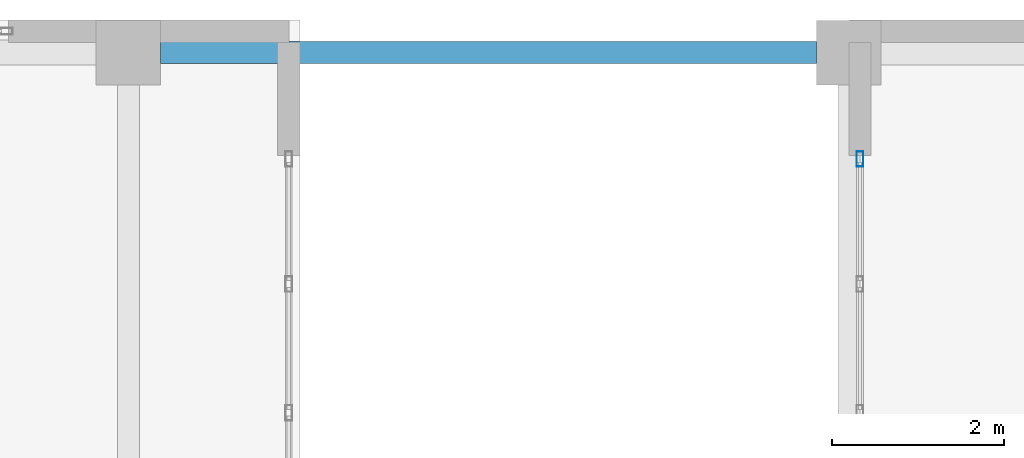
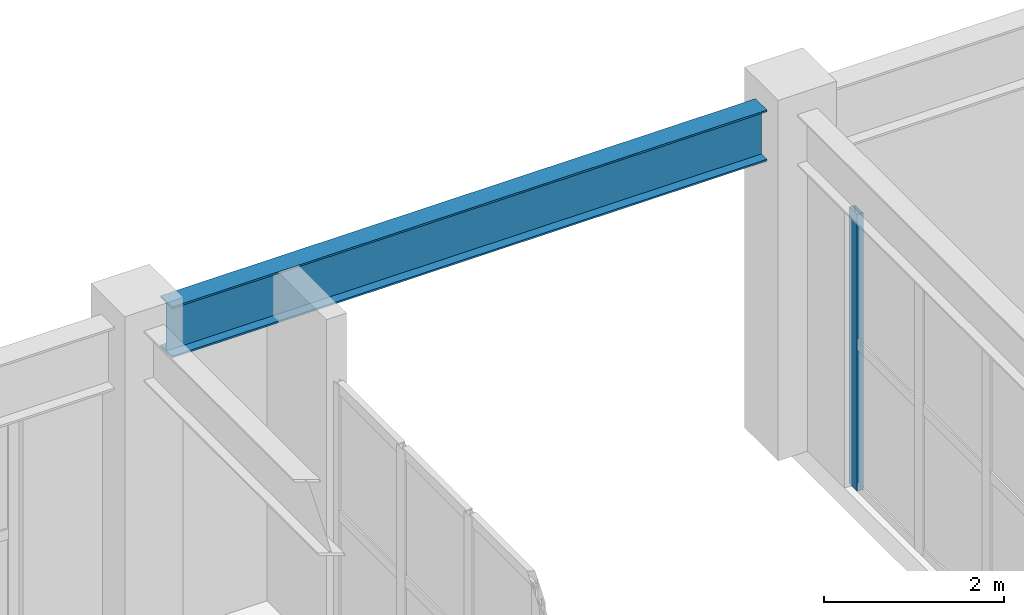
# One storey, part 8 of 11: 1 beam, 1 member, 1 element without a shape of its own.
"""IFC4 building model written with IfcOpenShell, lengths in metres."""

from ifc_helpers import new_model, si_unit, direction, frame, origin, origin_2d, place, context, subcontext, project, spatial, hollow_rectangle, i_section, extrude, material, layer, layer_set, material_profile, profile_set, type_object, element, aggregate, save


model = new_model("IFC4")

# Units and contexts
model_context = context("Model", 3, precision=1e-05, world=origin(), true_north=direction((0.0, 1.0)))
body_context = subcontext(model_context, "Body", "Model", "MODEL_VIEW")
ifc_project = project(units=[si_unit("LENGTHUNIT", "METRE"), si_unit("AREAUNIT", "SQUARE_METRE"), si_unit("VOLUMEUNIT", "CUBIC_METRE"), si_unit("PLANEANGLEUNIT", "RADIAN"), si_unit("MASSUNIT", "GRAM", prefix="KILO")], contexts=[model_context])

# Site, building, storey
site_placement = place(None, origin())
site = spatial("IfcSite", under=ifc_project, at=site_placement, CompositionType="ELEMENT")
building_placement = place(site_placement, origin())
building = spatial("IfcBuilding", under=site, at=building_placement, Name="Solanera Arch Residences", CompositionType="ELEMENT")
storey_placement = place(building_placement, frame((0.0, 0.0, 287.8798828125)))
storey = spatial("IfcBuildingStorey", under=building, at=storey_placement, Name="L82", CompositionType="ELEMENT", Elevation=287.8798828125)

# Curtain wall, member
ifc_material_1 = material(Name="Anodised Aluminium Alloy 6063-T6", Category="aluminium")
ifc_layer = layer(ifc_material_1, 0.179931640625)
ifc_layer_set = layer_set([ifc_layer], Name="Anodised Aluminium Alloy 6063-T6")
curtain_wall_type = type_object("IfcCurtainWallType", Name="CW-6 Split-Top Crown Lantern Curtain Wall", PredefinedType="USERDEFINED", material=ifc_layer_set)
curtain_wall_placement = place(storey_placement, origin())
curtain_wall = element("IfcCurtainWall", 1, at=curtain_wall_placement, inside=storey, type_object=curtain_wall_type, Name="L82 E Crown Cleft Lantern Curtain Wall", ObjectType="CURTAIN_WALL", PredefinedType="USERDEFINED")
ifc_material_2 = material(Name="Anodised Aluminium Alloy 6063-T6", Category="aluminium")
ifc_material_profile_1 = material_profile(ifc_material_2, hollow_rectangle(XDim=0.080078125, YDim=0.179931640625, WallThickness=0.00390625, at=origin_2d()))
ifc_profile_set_1 = profile_set([ifc_material_profile_1], Name="Anodised Aluminium Alloy 6063-T6")
member_type = type_object("IfcMemberType", Name="Curtain Wall Mullion ALU-MUL-80X180", PredefinedType="MULLION", material=ifc_profile_set_1)
member_placement = place(storey_placement, frame((29.330078125, 38.159912109375, 0.0), z_axis=(0.0, 0.0, 1.0), x_axis=(-1.0, 0.0, 0.0)))
member = element("IfcMember", 2, at=member_placement, type_object=member_type, Name="CW-6 mullion 5", PredefinedType="MULLION", context=body_context, shape_type="SweptSolid", body=[
    extrude(hollow_rectangle(XDim=0.080078125, YDim=0.179931640625, WallThickness=0.00390625, at=origin_2d()), origin(), (0.0, 0.0, 1.0), 3.760009765625),
])
aggregate(curtain_wall, [member])

# Beam
ifc_material_3 = material(Name="Steel S355 (ASTM A992 / A572 Grade 50)", Category="steel")
ifc_material_profile_2 = material_profile(ifc_material_3, i_section(OverallWidth=0.256103515625, OverallDepth=0.693115234375, WebThickness=0.014404296875, FlangeThickness=0.023681640625, at=origin_2d()))
ifc_profile_set_2 = profile_set([ifc_material_profile_2], Name="Steel S355 (ASTM A992 / A572 Grade 50)")
beam_type = type_object("IfcBeamType", Name="Primary Beam W690X170", PredefinedType="BEAM", material=ifc_profile_set_2)
beam_placement = place(storey_placement, frame((21.175048828125, 39.39990234375, 4.274169921875), z_axis=(1.0, 0.0, 0.0), x_axis=(0.0, 1.0, 0.0)))
element("IfcBeam", 3, at=beam_placement, inside=storey, type_object=beam_type, Name="BM-L82-CR-TIE-N", PredefinedType="BEAM", context=body_context, shape_type="SweptSolid", body=[
    extrude(i_section(OverallWidth=0.256103515625, OverallDepth=0.693115234375, WebThickness=0.014404296875, FlangeThickness=0.023681640625, at=origin_2d()), origin(), (0.0, 0.0, 1.0), 7.64990234375),
])

save(model, "model.ifc")
